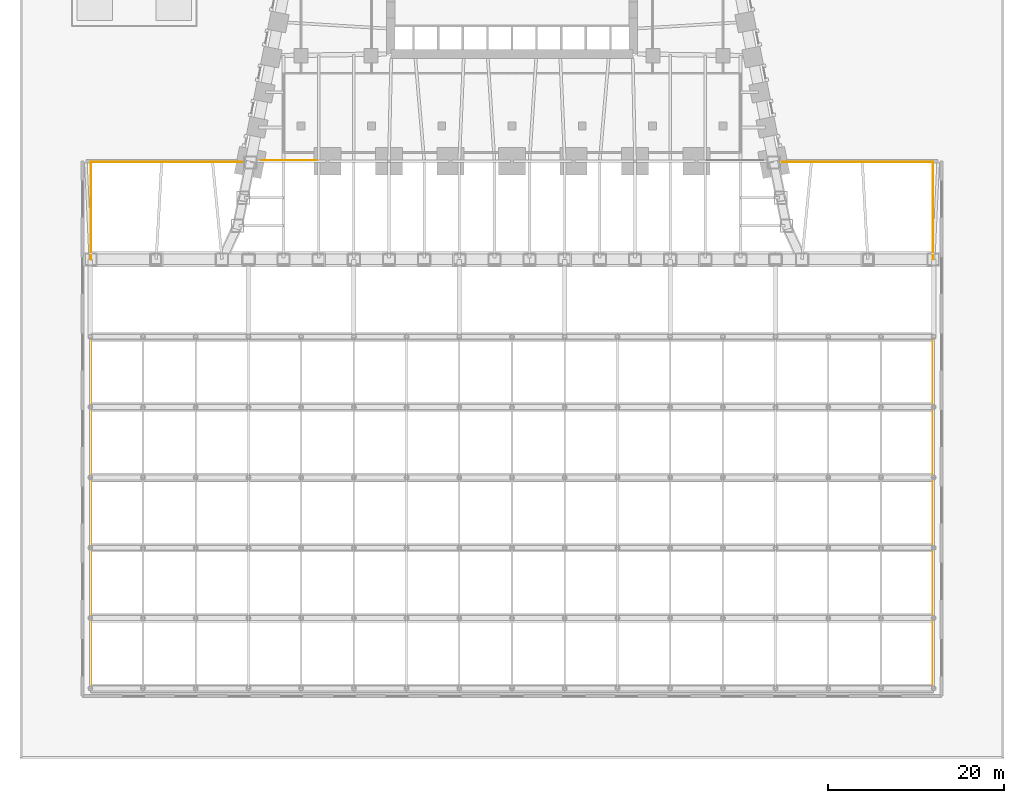
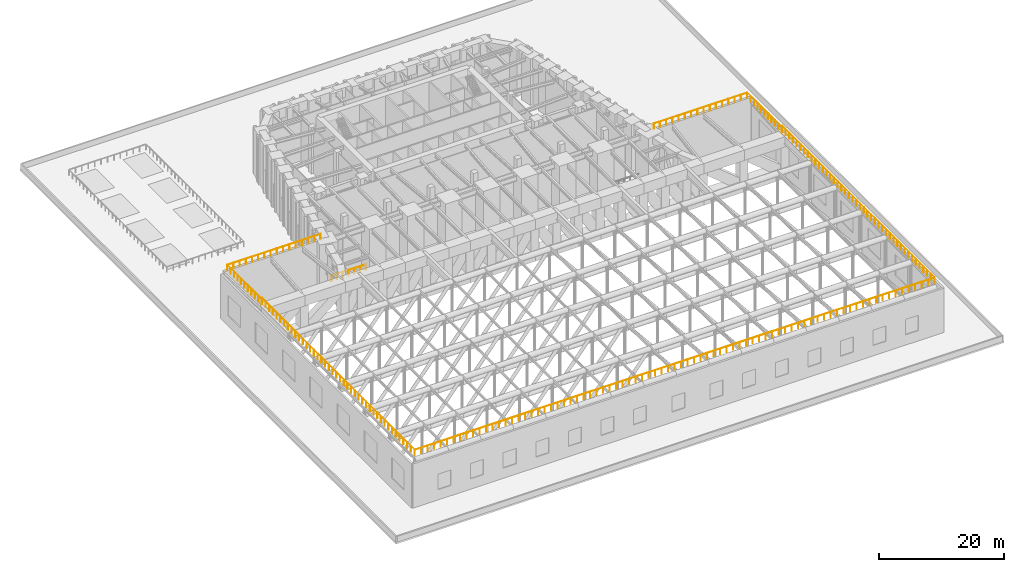
# One storey, part 17 of 20: 4 railings.
"""IFC4 building model written with IfcOpenShell, lengths in metres."""

from ifc_helpers import new_model, si_unit, direction, frame, origin, origin_2d, place, context, subcontext, project, spatial, circle, extrude, material, type_object, element, save


model = new_model("IFC4")

# Units and contexts
model_context = context("Model", 3, precision=1e-05, world=origin(), true_north=direction((0.0, 1.0)))
body_context = subcontext(model_context, "Body", "Model", "MODEL_VIEW")
ifc_project = project(units=[si_unit("LENGTHUNIT", "METRE"), si_unit("AREAUNIT", "SQUARE_METRE"), si_unit("VOLUMEUNIT", "CUBIC_METRE"), si_unit("PLANEANGLEUNIT", "RADIAN"), si_unit("MASSUNIT", "GRAM", prefix="KILO")], contexts=[model_context])

# Site, building, storey
site_placement = place(None, origin())
site = spatial("IfcSite", under=ifc_project, at=site_placement, CompositionType="ELEMENT")
building_placement = place(site_placement, origin())
building = spatial("IfcBuilding", under=site, at=building_placement, Name="Isbrekke Arena Tower", CompositionType="ELEMENT")
storey_placement = place(building_placement, frame((0.0, 0.0, 19.0)))
storey = spatial("IfcBuildingStorey", under=building, at=storey_placement, Name="L03", CompositionType="ELEMENT", Elevation=19.0)

# Railings
ifc_material_1 = material(Name="Galvanised steel guard", Category="steel")
railing_type_1 = type_object("IfcRailingType", Name="GR2 TERRACE GUARD 1100", PredefinedType="GUARDRAIL", material=ifc_material_1)
railing_1_placement = place(storey_placement, frame((-22.199951171875, -5.89990234375, 0.0)))
element("IfcRailing", 1, at=railing_1_placement, inside=storey, type_object=railing_type_1, Name="GR2 plant deck edge guard W L03", PredefinedType="GUARDRAIL", context=body_context, shape_type="SweptSolid", body=[
    extrude(circle(Radius=0.02392578125, at=origin_2d()), frame((0.0, 0.0, 1.076171875), z_axis=(-1.0, 0.0, 0.0), x_axis=(0.0, -1.0, 0.0)), (0.0, 0.0, 1.0), 6.39013671875),
    extrude(circle(Radius=0.02099609375, at=origin_2d()), origin(), (0.0, 0.0, 1.0), 1.052001953125),
    extrude(circle(Radius=0.02099609375, at=origin_2d()), frame((-1.06494140625, 0.0, 0.0)), (0.0, 0.0, 1.0), 1.052001953125),
    extrude(circle(Radius=0.02099609375, at=origin_2d()), frame((-2.130126953125, 0.0, 0.0)), (0.0, 0.0, 1.0), 1.052001953125),
    extrude(circle(Radius=0.02099609375, at=origin_2d()), frame((-3.195068359375, 0.0, 0.0)), (0.0, 0.0, 1.0), 1.052001953125),
    extrude(circle(Radius=0.02099609375, at=origin_2d()), frame((-4.260009765625, 0.0, 0.0)), (0.0, 0.0, 1.0), 1.052001953125),
    extrude(circle(Radius=0.02099609375, at=origin_2d()), frame((-5.3251953125, 0.0, 0.0)), (0.0, 0.0, 1.0), 1.052001953125),
    extrude(circle(Radius=0.02099609375, at=origin_2d()), frame((-6.39013671875, 0.0, 0.0)), (0.0, 0.0, 1.0), 1.052001953125),
])
ifc_material_2 = material(Name="Galvanised steel guard, maintenance roof", Category="steel")
railing_type_2 = type_object("IfcRailingType", Name="GR4 ROOF EDGE GUARD 1100", PredefinedType="GUARDRAIL", material=ifc_material_2)
railing_2_placement = place(storey_placement, frame((47.89990234375, -17.175048828125, 9.25)))
element("IfcRailing", 2, at=railing_2_placement, inside=storey, type_object=railing_type_2, Name="GR4 arena roof edge guard south, maintenance access only", PredefinedType="GUARDRAIL", context=body_context, shape_type="SweptSolid", body=[
    extrude(circle(Radius=0.02392578125, at=origin_2d()), frame((0.0, 0.0, 1.076171875), z_axis=(0.0, -1.0, 0.0), x_axis=(1.0, 0.0, 0.0)), (0.0, 0.0, 1.0), 48.724853515625),
    extrude(circle(Radius=0.02392578125, at=origin_2d()), frame((0.0, -48.724853515625, 1.076171875), z_axis=(-1.0, 0.0, 0.0), x_axis=(0.0, -1.0, 0.0)), (0.0, 0.0, 1.0), 95.7998046875),
    extrude(circle(Radius=0.02392578125, at=origin_2d()), frame((-95.7998046875, -48.724853515625, 1.076171875), z_axis=(0.0, 1.0, 0.0), x_axis=(-1.0, 0.0, 0.0)), (0.0, 0.0, 1.0), 48.724853515625),
    extrude(circle(Radius=0.02099609375, at=origin_2d()), origin(), (0.0, 0.0, 1.0), 1.052001953125),
    extrude(circle(Radius=0.02099609375, at=origin_2d()), frame((0.0, -1.1884765625, 0.0)), (0.0, 0.0, 1.0), 1.052001953125),
    extrude(circle(Radius=0.02099609375, at=origin_2d()), frame((0.0, -2.376708984375, 0.0)), (0.0, 0.0, 1.0), 1.052001953125),
    extrude(circle(Radius=0.02099609375, at=origin_2d()), frame((0.0, -3.565185546875, 0.0)), (0.0, 0.0, 1.0), 1.052001953125),
    extrude(circle(Radius=0.02099609375, at=origin_2d()), frame((0.0, -4.753662109375, 0.0)), (0.0, 0.0, 1.0), 1.052001953125),
    extrude(circle(Radius=0.02099609375, at=origin_2d()), frame((0.0, -5.942138671875, 0.0)), (0.0, 0.0, 1.0), 1.052001953125),
    extrude(circle(Radius=0.02099609375, at=origin_2d()), frame((0.0, -7.13037109375, 0.0)), (0.0, 0.0, 1.0), 1.052001953125),
    extrude(circle(Radius=0.02099609375, at=origin_2d()), frame((0.0, -8.31884765625, 0.0)), (0.0, 0.0, 1.0), 1.052001953125),
    extrude(circle(Radius=0.02099609375, at=origin_2d()), frame((0.0, -9.50732421875, 0.0)), (0.0, 0.0, 1.0), 1.052001953125),
    extrude(circle(Radius=0.02099609375, at=origin_2d()), frame((0.0, -10.69580078125, 0.0)), (0.0, 0.0, 1.0), 1.052001953125),
    extrude(circle(Radius=0.02099609375, at=origin_2d()), frame((0.0, -11.884033203125, 0.0)), (0.0, 0.0, 1.0), 1.052001953125),
    extrude(circle(Radius=0.02099609375, at=origin_2d()), frame((0.0, -13.072509765625, 0.0)), (0.0, 0.0, 1.0), 1.052001953125),
    extrude(circle(Radius=0.02099609375, at=origin_2d()), frame((0.0, -14.260986328125, 0.0)), (0.0, 0.0, 1.0), 1.052001953125),
    extrude(circle(Radius=0.02099609375, at=origin_2d()), frame((0.0, -15.449462890625, 0.0)), (0.0, 0.0, 1.0), 1.052001953125),
    extrude(circle(Radius=0.02099609375, at=origin_2d()), frame((0.0, -16.6376953125, 0.0)), (0.0, 0.0, 1.0), 1.052001953125),
    extrude(circle(Radius=0.02099609375, at=origin_2d()), frame((0.0, -17.826171875, 0.0)), (0.0, 0.0, 1.0), 1.052001953125),
    extrude(circle(Radius=0.02099609375, at=origin_2d()), frame((0.0, -19.0146484375, 0.0)), (0.0, 0.0, 1.0), 1.052001953125),
    extrude(circle(Radius=0.02099609375, at=origin_2d()), frame((0.0, -20.202880859375, 0.0)), (0.0, 0.0, 1.0), 1.052001953125),
    extrude(circle(Radius=0.02099609375, at=origin_2d()), frame((0.0, -21.391357421875, 0.0)), (0.0, 0.0, 1.0), 1.052001953125),
    extrude(circle(Radius=0.02099609375, at=origin_2d()), frame((0.0, -22.579833984375, 0.0)), (0.0, 0.0, 1.0), 1.052001953125),
    extrude(circle(Radius=0.02099609375, at=origin_2d()), frame((0.0, -23.768310546875, 0.0)), (0.0, 0.0, 1.0), 1.052001953125),
    extrude(circle(Radius=0.02099609375, at=origin_2d()), frame((0.0, -24.95654296875, 0.0)), (0.0, 0.0, 1.0), 1.052001953125),
    extrude(circle(Radius=0.02099609375, at=origin_2d()), frame((0.0, -26.14501953125, 0.0)), (0.0, 0.0, 1.0), 1.052001953125),
    extrude(circle(Radius=0.02099609375, at=origin_2d()), frame((0.0, -27.33349609375, 0.0)), (0.0, 0.0, 1.0), 1.052001953125),
    extrude(circle(Radius=0.02099609375, at=origin_2d()), frame((0.0, -28.52197265625, 0.0)), (0.0, 0.0, 1.0), 1.052001953125),
    extrude(circle(Radius=0.02099609375, at=origin_2d()), frame((0.0, -29.710205078125, 0.0)), (0.0, 0.0, 1.0), 1.052001953125),
    extrude(circle(Radius=0.02099609375, at=origin_2d()), frame((0.0, -30.898681640625, 0.0)), (0.0, 0.0, 1.0), 1.052001953125),
    extrude(circle(Radius=0.02099609375, at=origin_2d()), frame((0.0, -32.087158203125, 0.0)), (0.0, 0.0, 1.0), 1.052001953125),
    extrude(circle(Radius=0.02099609375, at=origin_2d()), frame((0.0, -33.275390625, 0.0)), (0.0, 0.0, 1.0), 1.052001953125),
    extrude(circle(Radius=0.02099609375, at=origin_2d()), frame((0.0, -34.4638671875, 0.0)), (0.0, 0.0, 1.0), 1.052001953125),
    extrude(circle(Radius=0.02099609375, at=origin_2d()), frame((0.0, -35.65234375, 0.0)), (0.0, 0.0, 1.0), 1.052001953125),
    extrude(circle(Radius=0.02099609375, at=origin_2d()), frame((0.0, -36.8408203125, 0.0)), (0.0, 0.0, 1.0), 1.052001953125),
    extrude(circle(Radius=0.02099609375, at=origin_2d()), frame((0.0, -38.029052734375, 0.0)), (0.0, 0.0, 1.0), 1.052001953125),
    extrude(circle(Radius=0.02099609375, at=origin_2d()), frame((0.0, -39.217529296875, 0.0)), (0.0, 0.0, 1.0), 1.052001953125),
    extrude(circle(Radius=0.02099609375, at=origin_2d()), frame((0.0, -40.406005859375, 0.0)), (0.0, 0.0, 1.0), 1.052001953125),
    extrude(circle(Radius=0.02099609375, at=origin_2d()), frame((0.0, -41.594482421875, 0.0)), (0.0, 0.0, 1.0), 1.052001953125),
    extrude(circle(Radius=0.02099609375, at=origin_2d()), frame((0.0, -42.78271484375, 0.0)), (0.0, 0.0, 1.0), 1.052001953125),
    extrude(circle(Radius=0.02099609375, at=origin_2d()), frame((0.0, -43.97119140625, 0.0)), (0.0, 0.0, 1.0), 1.052001953125),
    extrude(circle(Radius=0.02099609375, at=origin_2d()), frame((0.0, -45.15966796875, 0.0)), (0.0, 0.0, 1.0), 1.052001953125),
    extrude(circle(Radius=0.02099609375, at=origin_2d()), frame((0.0, -46.34814453125, 0.0)), (0.0, 0.0, 1.0), 1.052001953125),
    extrude(circle(Radius=0.02099609375, at=origin_2d()), frame((0.0, -47.536376953125, 0.0)), (0.0, 0.0, 1.0), 1.052001953125),
    extrude(circle(Radius=0.02099609375, at=origin_2d()), frame((0.0, -48.724853515625, 0.0)), (0.0, 0.0, 1.0), 1.052001953125),
    extrude(circle(Radius=0.02099609375, at=origin_2d()), frame((-1.197509765625, -48.724853515625, 0.0)), (0.0, 0.0, 1.0), 1.052001953125),
    extrude(circle(Radius=0.02099609375, at=origin_2d()), frame((-2.39501953125, -48.724853515625, 0.0)), (0.0, 0.0, 1.0), 1.052001953125),
    extrude(circle(Radius=0.02099609375, at=origin_2d()), frame((-3.592529296875, -48.724853515625, 0.0)), (0.0, 0.0, 1.0), 1.052001953125),
    extrude(circle(Radius=0.02099609375, at=origin_2d()), frame((-4.7900390625, -48.724853515625, 0.0)), (0.0, 0.0, 1.0), 1.052001953125),
    extrude(circle(Radius=0.02099609375, at=origin_2d()), frame((-5.987548828125, -48.724853515625, 0.0)), (0.0, 0.0, 1.0), 1.052001953125),
    extrude(circle(Radius=0.02099609375, at=origin_2d()), frame((-7.18505859375, -48.724853515625, 0.0)), (0.0, 0.0, 1.0), 1.052001953125),
    extrude(circle(Radius=0.02099609375, at=origin_2d()), frame((-8.382568359375, -48.724853515625, 0.0)), (0.0, 0.0, 1.0), 1.052001953125),
    extrude(circle(Radius=0.02099609375, at=origin_2d()), frame((-9.580078125, -48.724853515625, 0.0)), (0.0, 0.0, 1.0), 1.052001953125),
    extrude(circle(Radius=0.02099609375, at=origin_2d()), frame((-10.777587890625, -48.724853515625, 0.0)), (0.0, 0.0, 1.0), 1.052001953125),
    extrude(circle(Radius=0.02099609375, at=origin_2d()), frame((-11.97509765625, -48.724853515625, 0.0)), (0.0, 0.0, 1.0), 1.052001953125),
    extrude(circle(Radius=0.02099609375, at=origin_2d()), frame((-13.17236328125, -48.724853515625, 0.0)), (0.0, 0.0, 1.0), 1.052001953125),
    extrude(circle(Radius=0.02099609375, at=origin_2d()), frame((-14.369873046875, -48.724853515625, 0.0)), (0.0, 0.0, 1.0), 1.052001953125),
    extrude(circle(Radius=0.02099609375, at=origin_2d()), frame((-15.5673828125, -48.724853515625, 0.0)), (0.0, 0.0, 1.0), 1.052001953125),
    extrude(circle(Radius=0.02099609375, at=origin_2d()), frame((-16.764892578125, -48.724853515625, 0.0)), (0.0, 0.0, 1.0), 1.052001953125),
    extrude(circle(Radius=0.02099609375, at=origin_2d()), frame((-17.96240234375, -48.724853515625, 0.0)), (0.0, 0.0, 1.0), 1.052001953125),
    extrude(circle(Radius=0.02099609375, at=origin_2d()), frame((-19.159912109375, -48.724853515625, 0.0)), (0.0, 0.0, 1.0), 1.052001953125),
    extrude(circle(Radius=0.02099609375, at=origin_2d()), frame((-20.357421875, -48.724853515625, 0.0)), (0.0, 0.0, 1.0), 1.052001953125),
    extrude(circle(Radius=0.02099609375, at=origin_2d()), frame((-21.554931640625, -48.724853515625, 0.0)), (0.0, 0.0, 1.0), 1.052001953125),
    extrude(circle(Radius=0.02099609375, at=origin_2d()), frame((-22.75244140625, -48.724853515625, 0.0)), (0.0, 0.0, 1.0), 1.052001953125),
    extrude(circle(Radius=0.02099609375, at=origin_2d()), frame((-23.949951171875, -48.724853515625, 0.0)), (0.0, 0.0, 1.0), 1.052001953125),
    extrude(circle(Radius=0.02099609375, at=origin_2d()), frame((-25.1474609375, -48.724853515625, 0.0)), (0.0, 0.0, 1.0), 1.052001953125),
    extrude(circle(Radius=0.02099609375, at=origin_2d()), frame((-26.344970703125, -48.724853515625, 0.0)), (0.0, 0.0, 1.0), 1.052001953125),
    extrude(circle(Radius=0.02099609375, at=origin_2d()), frame((-27.54248046875, -48.724853515625, 0.0)), (0.0, 0.0, 1.0), 1.052001953125),
    extrude(circle(Radius=0.02099609375, at=origin_2d()), frame((-28.739990234375, -48.724853515625, 0.0)), (0.0, 0.0, 1.0), 1.052001953125),
    extrude(circle(Radius=0.02099609375, at=origin_2d()), frame((-29.9375, -48.724853515625, 0.0)), (0.0, 0.0, 1.0), 1.052001953125),
    extrude(circle(Radius=0.02099609375, at=origin_2d()), frame((-31.135009765625, -48.724853515625, 0.0)), (0.0, 0.0, 1.0), 1.052001953125),
    extrude(circle(Radius=0.02099609375, at=origin_2d()), frame((-32.33251953125, -48.724853515625, 0.0)), (0.0, 0.0, 1.0), 1.052001953125),
    extrude(circle(Radius=0.02099609375, at=origin_2d()), frame((-33.530029296875, -48.724853515625, 0.0)), (0.0, 0.0, 1.0), 1.052001953125),
    extrude(circle(Radius=0.02099609375, at=origin_2d()), frame((-34.7275390625, -48.724853515625, 0.0)), (0.0, 0.0, 1.0), 1.052001953125),
    extrude(circle(Radius=0.02099609375, at=origin_2d()), frame((-35.9248046875, -48.724853515625, 0.0)), (0.0, 0.0, 1.0), 1.052001953125),
    extrude(circle(Radius=0.02099609375, at=origin_2d()), frame((-37.122314453125, -48.724853515625, 0.0)), (0.0, 0.0, 1.0), 1.052001953125),
    extrude(circle(Radius=0.02099609375, at=origin_2d()), frame((-38.31982421875, -48.724853515625, 0.0)), (0.0, 0.0, 1.0), 1.052001953125),
    extrude(circle(Radius=0.02099609375, at=origin_2d()), frame((-39.517333984375, -48.724853515625, 0.0)), (0.0, 0.0, 1.0), 1.052001953125),
    extrude(circle(Radius=0.02099609375, at=origin_2d()), frame((-40.71484375, -48.724853515625, 0.0)), (0.0, 0.0, 1.0), 1.052001953125),
    extrude(circle(Radius=0.02099609375, at=origin_2d()), frame((-41.912353515625, -48.724853515625, 0.0)), (0.0, 0.0, 1.0), 1.052001953125),
    extrude(circle(Radius=0.02099609375, at=origin_2d()), frame((-43.10986328125, -48.724853515625, 0.0)), (0.0, 0.0, 1.0), 1.052001953125),
    extrude(circle(Radius=0.02099609375, at=origin_2d()), frame((-44.307373046875, -48.724853515625, 0.0)), (0.0, 0.0, 1.0), 1.052001953125),
    extrude(circle(Radius=0.02099609375, at=origin_2d()), frame((-45.5048828125, -48.724853515625, 0.0)), (0.0, 0.0, 1.0), 1.052001953125),
    extrude(circle(Radius=0.02099609375, at=origin_2d()), frame((-46.702392578125, -48.724853515625, 0.0)), (0.0, 0.0, 1.0), 1.052001953125),
    extrude(circle(Radius=0.02099609375, at=origin_2d()), frame((-47.89990234375, -48.724853515625, 0.0)), (0.0, 0.0, 1.0), 1.052001953125),
    extrude(circle(Radius=0.02099609375, at=origin_2d()), frame((-49.097412109375, -48.724853515625, 0.0)), (0.0, 0.0, 1.0), 1.052001953125),
    extrude(circle(Radius=0.02099609375, at=origin_2d()), frame((-50.294921875, -48.724853515625, 0.0)), (0.0, 0.0, 1.0), 1.052001953125),
    extrude(circle(Radius=0.02099609375, at=origin_2d()), frame((-51.492431640625, -48.724853515625, 0.0)), (0.0, 0.0, 1.0), 1.052001953125),
    extrude(circle(Radius=0.02099609375, at=origin_2d()), frame((-52.68994140625, -48.724853515625, 0.0)), (0.0, 0.0, 1.0), 1.052001953125),
    extrude(circle(Radius=0.02099609375, at=origin_2d()), frame((-53.887451171875, -48.724853515625, 0.0)), (0.0, 0.0, 1.0), 1.052001953125),
    extrude(circle(Radius=0.02099609375, at=origin_2d()), frame((-55.0849609375, -48.724853515625, 0.0)), (0.0, 0.0, 1.0), 1.052001953125),
    extrude(circle(Radius=0.02099609375, at=origin_2d()), frame((-56.282470703125, -48.724853515625, 0.0)), (0.0, 0.0, 1.0), 1.052001953125),
    extrude(circle(Radius=0.02099609375, at=origin_2d()), frame((-57.47998046875, -48.724853515625, 0.0)), (0.0, 0.0, 1.0), 1.052001953125),
    extrude(circle(Radius=0.02099609375, at=origin_2d()), frame((-58.677490234375, -48.724853515625, 0.0)), (0.0, 0.0, 1.0), 1.052001953125),
    extrude(circle(Radius=0.02099609375, at=origin_2d()), frame((-59.875, -48.724853515625, 0.0)), (0.0, 0.0, 1.0), 1.052001953125),
    extrude(circle(Radius=0.02099609375, at=origin_2d()), frame((-61.072265625, -48.724853515625, 0.0)), (0.0, 0.0, 1.0), 1.052001953125),
    extrude(circle(Radius=0.02099609375, at=origin_2d()), frame((-62.269775390625, -48.724853515625, 0.0)), (0.0, 0.0, 1.0), 1.052001953125),
    extrude(circle(Radius=0.02099609375, at=origin_2d()), frame((-63.46728515625, -48.724853515625, 0.0)), (0.0, 0.0, 1.0), 1.052001953125),
    extrude(circle(Radius=0.02099609375, at=origin_2d()), frame((-64.664794921875, -48.724853515625, 0.0)), (0.0, 0.0, 1.0), 1.052001953125),
    extrude(circle(Radius=0.02099609375, at=origin_2d()), frame((-65.8623046875, -48.724853515625, 0.0)), (0.0, 0.0, 1.0), 1.052001953125),
    extrude(circle(Radius=0.02099609375, at=origin_2d()), frame((-67.059814453125, -48.724853515625, 0.0)), (0.0, 0.0, 1.0), 1.052001953125),
    extrude(circle(Radius=0.02099609375, at=origin_2d()), frame((-68.25732421875, -48.724853515625, 0.0)), (0.0, 0.0, 1.0), 1.052001953125),
    extrude(circle(Radius=0.02099609375, at=origin_2d()), frame((-69.454833984375, -48.724853515625, 0.0)), (0.0, 0.0, 1.0), 1.052001953125),
    extrude(circle(Radius=0.02099609375, at=origin_2d()), frame((-70.65234375, -48.724853515625, 0.0)), (0.0, 0.0, 1.0), 1.052001953125),
    extrude(circle(Radius=0.02099609375, at=origin_2d()), frame((-71.849853515625, -48.724853515625, 0.0)), (0.0, 0.0, 1.0), 1.052001953125),
    extrude(circle(Radius=0.02099609375, at=origin_2d()), frame((-73.04736328125, -48.724853515625, 0.0)), (0.0, 0.0, 1.0), 1.052001953125),
    extrude(circle(Radius=0.02099609375, at=origin_2d()), frame((-74.244873046875, -48.724853515625, 0.0)), (0.0, 0.0, 1.0), 1.052001953125),
    extrude(circle(Radius=0.02099609375, at=origin_2d()), frame((-75.4423828125, -48.724853515625, 0.0)), (0.0, 0.0, 1.0), 1.052001953125),
    extrude(circle(Radius=0.02099609375, at=origin_2d()), frame((-76.639892578125, -48.724853515625, 0.0)), (0.0, 0.0, 1.0), 1.052001953125),
    extrude(circle(Radius=0.02099609375, at=origin_2d()), frame((-77.83740234375, -48.724853515625, 0.0)), (0.0, 0.0, 1.0), 1.052001953125),
    extrude(circle(Radius=0.02099609375, at=origin_2d()), frame((-79.034912109375, -48.724853515625, 0.0)), (0.0, 0.0, 1.0), 1.052001953125),
    extrude(circle(Radius=0.02099609375, at=origin_2d()), frame((-80.232421875, -48.724853515625, 0.0)), (0.0, 0.0, 1.0), 1.052001953125),
    extrude(circle(Radius=0.02099609375, at=origin_2d()), frame((-81.429931640625, -48.724853515625, 0.0)), (0.0, 0.0, 1.0), 1.052001953125),
    extrude(circle(Radius=0.02099609375, at=origin_2d()), frame((-82.62744140625, -48.724853515625, 0.0)), (0.0, 0.0, 1.0), 1.052001953125),
    extrude(circle(Radius=0.02099609375, at=origin_2d()), frame((-83.82470703125, -48.724853515625, 0.0)), (0.0, 0.0, 1.0), 1.052001953125),
    extrude(circle(Radius=0.02099609375, at=origin_2d()), frame((-85.022216796875, -48.724853515625, 0.0)), (0.0, 0.0, 1.0), 1.052001953125),
    extrude(circle(Radius=0.02099609375, at=origin_2d()), frame((-86.2197265625, -48.724853515625, 0.0)), (0.0, 0.0, 1.0), 1.052001953125),
    extrude(circle(Radius=0.02099609375, at=origin_2d()), frame((-87.417236328125, -48.724853515625, 0.0)), (0.0, 0.0, 1.0), 1.052001953125),
    extrude(circle(Radius=0.02099609375, at=origin_2d()), frame((-88.61474609375, -48.724853515625, 0.0)), (0.0, 0.0, 1.0), 1.052001953125),
    extrude(circle(Radius=0.02099609375, at=origin_2d()), frame((-89.812255859375, -48.724853515625, 0.0)), (0.0, 0.0, 1.0), 1.052001953125),
    extrude(circle(Radius=0.02099609375, at=origin_2d()), frame((-91.009765625, -48.724853515625, 0.0)), (0.0, 0.0, 1.0), 1.052001953125),
    extrude(circle(Radius=0.02099609375, at=origin_2d()), frame((-92.207275390625, -48.724853515625, 0.0)), (0.0, 0.0, 1.0), 1.052001953125),
    extrude(circle(Radius=0.02099609375, at=origin_2d()), frame((-93.40478515625, -48.724853515625, 0.0)), (0.0, 0.0, 1.0), 1.052001953125),
    extrude(circle(Radius=0.02099609375, at=origin_2d()), frame((-94.602294921875, -48.724853515625, 0.0)), (0.0, 0.0, 1.0), 1.052001953125),
    extrude(circle(Radius=0.02099609375, at=origin_2d()), frame((-95.7998046875, -48.724853515625, 0.0)), (0.0, 0.0, 1.0), 1.052001953125),
    extrude(circle(Radius=0.02099609375, at=origin_2d()), frame((-95.7998046875, -47.536376953125, 0.0)), (0.0, 0.0, 1.0), 1.052001953125),
    extrude(circle(Radius=0.02099609375, at=origin_2d()), frame((-95.7998046875, -46.34814453125, 0.0)), (0.0, 0.0, 1.0), 1.052001953125),
    extrude(circle(Radius=0.02099609375, at=origin_2d()), frame((-95.7998046875, -45.15966796875, 0.0)), (0.0, 0.0, 1.0), 1.052001953125),
    extrude(circle(Radius=0.02099609375, at=origin_2d()), frame((-95.7998046875, -43.97119140625, 0.0)), (0.0, 0.0, 1.0), 1.052001953125),
    extrude(circle(Radius=0.02099609375, at=origin_2d()), frame((-95.7998046875, -42.78271484375, 0.0)), (0.0, 0.0, 1.0), 1.052001953125),
    extrude(circle(Radius=0.02099609375, at=origin_2d()), frame((-95.7998046875, -41.594482421875, 0.0)), (0.0, 0.0, 1.0), 1.052001953125),
    extrude(circle(Radius=0.02099609375, at=origin_2d()), frame((-95.7998046875, -40.406005859375, 0.0)), (0.0, 0.0, 1.0), 1.052001953125),
    extrude(circle(Radius=0.02099609375, at=origin_2d()), frame((-95.7998046875, -39.217529296875, 0.0)), (0.0, 0.0, 1.0), 1.052001953125),
    extrude(circle(Radius=0.02099609375, at=origin_2d()), frame((-95.7998046875, -38.029052734375, 0.0)), (0.0, 0.0, 1.0), 1.052001953125),
    extrude(circle(Radius=0.02099609375, at=origin_2d()), frame((-95.7998046875, -36.8408203125, 0.0)), (0.0, 0.0, 1.0), 1.052001953125),
    extrude(circle(Radius=0.02099609375, at=origin_2d()), frame((-95.7998046875, -35.65234375, 0.0)), (0.0, 0.0, 1.0), 1.052001953125),
    extrude(circle(Radius=0.02099609375, at=origin_2d()), frame((-95.7998046875, -34.4638671875, 0.0)), (0.0, 0.0, 1.0), 1.052001953125),
    extrude(circle(Radius=0.02099609375, at=origin_2d()), frame((-95.7998046875, -33.275390625, 0.0)), (0.0, 0.0, 1.0), 1.052001953125),
    extrude(circle(Radius=0.02099609375, at=origin_2d()), frame((-95.7998046875, -32.087158203125, 0.0)), (0.0, 0.0, 1.0), 1.052001953125),
    extrude(circle(Radius=0.02099609375, at=origin_2d()), frame((-95.7998046875, -30.898681640625, 0.0)), (0.0, 0.0, 1.0), 1.052001953125),
    extrude(circle(Radius=0.02099609375, at=origin_2d()), frame((-95.7998046875, -29.710205078125, 0.0)), (0.0, 0.0, 1.0), 1.052001953125),
    extrude(circle(Radius=0.02099609375, at=origin_2d()), frame((-95.7998046875, -28.52197265625, 0.0)), (0.0, 0.0, 1.0), 1.052001953125),
    extrude(circle(Radius=0.02099609375, at=origin_2d()), frame((-95.7998046875, -27.33349609375, 0.0)), (0.0, 0.0, 1.0), 1.052001953125),
    extrude(circle(Radius=0.02099609375, at=origin_2d()), frame((-95.7998046875, -26.14501953125, 0.0)), (0.0, 0.0, 1.0), 1.052001953125),
    extrude(circle(Radius=0.02099609375, at=origin_2d()), frame((-95.7998046875, -24.95654296875, 0.0)), (0.0, 0.0, 1.0), 1.052001953125),
    extrude(circle(Radius=0.02099609375, at=origin_2d()), frame((-95.7998046875, -23.768310546875, 0.0)), (0.0, 0.0, 1.0), 1.052001953125),
    extrude(circle(Radius=0.02099609375, at=origin_2d()), frame((-95.7998046875, -22.579833984375, 0.0)), (0.0, 0.0, 1.0), 1.052001953125),
    extrude(circle(Radius=0.02099609375, at=origin_2d()), frame((-95.7998046875, -21.391357421875, 0.0)), (0.0, 0.0, 1.0), 1.052001953125),
    extrude(circle(Radius=0.02099609375, at=origin_2d()), frame((-95.7998046875, -20.202880859375, 0.0)), (0.0, 0.0, 1.0), 1.052001953125),
    extrude(circle(Radius=0.02099609375, at=origin_2d()), frame((-95.7998046875, -19.0146484375, 0.0)), (0.0, 0.0, 1.0), 1.052001953125),
    extrude(circle(Radius=0.02099609375, at=origin_2d()), frame((-95.7998046875, -17.826171875, 0.0)), (0.0, 0.0, 1.0), 1.052001953125),
    extrude(circle(Radius=0.02099609375, at=origin_2d()), frame((-95.7998046875, -16.6376953125, 0.0)), (0.0, 0.0, 1.0), 1.052001953125),
    extrude(circle(Radius=0.02099609375, at=origin_2d()), frame((-95.7998046875, -15.449462890625, 0.0)), (0.0, 0.0, 1.0), 1.052001953125),
    extrude(circle(Radius=0.02099609375, at=origin_2d()), frame((-95.7998046875, -14.260986328125, 0.0)), (0.0, 0.0, 1.0), 1.052001953125),
    extrude(circle(Radius=0.02099609375, at=origin_2d()), frame((-95.7998046875, -13.072509765625, 0.0)), (0.0, 0.0, 1.0), 1.052001953125),
    extrude(circle(Radius=0.02099609375, at=origin_2d()), frame((-95.7998046875, -11.884033203125, 0.0)), (0.0, 0.0, 1.0), 1.052001953125),
    extrude(circle(Radius=0.02099609375, at=origin_2d()), frame((-95.7998046875, -10.69580078125, 0.0)), (0.0, 0.0, 1.0), 1.052001953125),
    extrude(circle(Radius=0.02099609375, at=origin_2d()), frame((-95.7998046875, -9.50732421875, 0.0)), (0.0, 0.0, 1.0), 1.052001953125),
    extrude(circle(Radius=0.02099609375, at=origin_2d()), frame((-95.7998046875, -8.31884765625, 0.0)), (0.0, 0.0, 1.0), 1.052001953125),
    extrude(circle(Radius=0.02099609375, at=origin_2d()), frame((-95.7998046875, -7.13037109375, 0.0)), (0.0, 0.0, 1.0), 1.052001953125),
    extrude(circle(Radius=0.02099609375, at=origin_2d()), frame((-95.7998046875, -5.942138671875, 0.0)), (0.0, 0.0, 1.0), 1.052001953125),
    extrude(circle(Radius=0.02099609375, at=origin_2d()), frame((-95.7998046875, -4.753662109375, 0.0)), (0.0, 0.0, 1.0), 1.052001953125),
    extrude(circle(Radius=0.02099609375, at=origin_2d()), frame((-95.7998046875, -3.565185546875, 0.0)), (0.0, 0.0, 1.0), 1.052001953125),
    extrude(circle(Radius=0.02099609375, at=origin_2d()), frame((-95.7998046875, -2.376708984375, 0.0)), (0.0, 0.0, 1.0), 1.052001953125),
    extrude(circle(Radius=0.02099609375, at=origin_2d()), frame((-95.7998046875, -1.1884765625, 0.0)), (0.0, 0.0, 1.0), 1.052001953125),
    extrude(circle(Radius=0.02099609375, at=origin_2d()), frame((-95.7998046875, 0.0, 0.0)), (0.0, 0.0, 1.0), 1.052001953125),
])
railing_3_placement = place(storey_placement, frame((47.89990234375, -17.175048828125, 9.0)))
element("IfcRailing", 3, at=railing_3_placement, inside=storey, type_object=railing_type_2, Name="GR4 arena roof edge guard E, maintenance access only", PredefinedType="GUARDRAIL", context=body_context, shape_type="SweptSolid", body=[
    extrude(circle(Radius=0.02392578125, at=origin_2d()), frame((0.0, 0.0, 1.076171875), z_axis=(0.0, 1.0, 0.0), x_axis=(-1.0, 0.0, 0.0)), (0.0, 0.0, 1.0), 11.074951171875),
    extrude(circle(Radius=0.02392578125, at=origin_2d()), frame((0.0, 11.074951171875, 1.076171875), z_axis=(-1.0, 0.0, 0.0), x_axis=(0.0, -1.0, 0.0)), (0.0, 0.0, 1.0), 17.199951171875),
    extrude(circle(Radius=0.02099609375, at=origin_2d()), origin(), (0.0, 0.0, 1.0), 1.052001953125),
    extrude(circle(Radius=0.02099609375, at=origin_2d()), frame((0.0, 1.107421875, 0.0)), (0.0, 0.0, 1.0), 1.052001953125),
    extrude(circle(Radius=0.02099609375, at=origin_2d()), frame((0.0, 2.215087890625, 0.0)), (0.0, 0.0, 1.0), 1.052001953125),
    extrude(circle(Radius=0.02099609375, at=origin_2d()), frame((0.0, 3.322509765625, 0.0)), (0.0, 0.0, 1.0), 1.052001953125),
    extrude(circle(Radius=0.02099609375, at=origin_2d()), frame((0.0, 4.429931640625, 0.0)), (0.0, 0.0, 1.0), 1.052001953125),
    extrude(circle(Radius=0.02099609375, at=origin_2d()), frame((0.0, 5.53759765625, 0.0)), (0.0, 0.0, 1.0), 1.052001953125),
    extrude(circle(Radius=0.02099609375, at=origin_2d()), frame((0.0, 6.64501953125, 0.0)), (0.0, 0.0, 1.0), 1.052001953125),
    extrude(circle(Radius=0.02099609375, at=origin_2d()), frame((0.0, 7.75244140625, 0.0)), (0.0, 0.0, 1.0), 1.052001953125),
    extrude(circle(Radius=0.02099609375, at=origin_2d()), frame((0.0, 8.85986328125, 0.0)), (0.0, 0.0, 1.0), 1.052001953125),
    extrude(circle(Radius=0.02099609375, at=origin_2d()), frame((0.0, 9.967529296875, 0.0)), (0.0, 0.0, 1.0), 1.052001953125),
    extrude(circle(Radius=0.02099609375, at=origin_2d()), frame((0.0, 11.074951171875, 0.0)), (0.0, 0.0, 1.0), 1.052001953125),
    extrude(circle(Radius=0.02099609375, at=origin_2d()), frame((-1.146728515625, 11.074951171875, 0.0)), (0.0, 0.0, 1.0), 1.052001953125),
    extrude(circle(Radius=0.02099609375, at=origin_2d()), frame((-2.293212890625, 11.074951171875, 0.0)), (0.0, 0.0, 1.0), 1.052001953125),
    extrude(circle(Radius=0.02099609375, at=origin_2d()), frame((-3.43994140625, 11.074951171875, 0.0)), (0.0, 0.0, 1.0), 1.052001953125),
    extrude(circle(Radius=0.02099609375, at=origin_2d()), frame((-4.586669921875, 11.074951171875, 0.0)), (0.0, 0.0, 1.0), 1.052001953125),
    extrude(circle(Radius=0.02099609375, at=origin_2d()), frame((-5.7333984375, 11.074951171875, 0.0)), (0.0, 0.0, 1.0), 1.052001953125),
    extrude(circle(Radius=0.02099609375, at=origin_2d()), frame((-6.8798828125, 11.074951171875, 0.0)), (0.0, 0.0, 1.0), 1.052001953125),
    extrude(circle(Radius=0.02099609375, at=origin_2d()), frame((-8.026611328125, 11.074951171875, 0.0)), (0.0, 0.0, 1.0), 1.052001953125),
    extrude(circle(Radius=0.02099609375, at=origin_2d()), frame((-9.17333984375, 11.074951171875, 0.0)), (0.0, 0.0, 1.0), 1.052001953125),
    extrude(circle(Radius=0.02099609375, at=origin_2d()), frame((-10.320068359375, 11.074951171875, 0.0)), (0.0, 0.0, 1.0), 1.052001953125),
    extrude(circle(Radius=0.02099609375, at=origin_2d()), frame((-11.466552734375, 11.074951171875, 0.0)), (0.0, 0.0, 1.0), 1.052001953125),
    extrude(circle(Radius=0.02099609375, at=origin_2d()), frame((-12.61328125, 11.074951171875, 0.0)), (0.0, 0.0, 1.0), 1.052001953125),
    extrude(circle(Radius=0.02099609375, at=origin_2d()), frame((-13.760009765625, 11.074951171875, 0.0)), (0.0, 0.0, 1.0), 1.052001953125),
    extrude(circle(Radius=0.02099609375, at=origin_2d()), frame((-14.90673828125, 11.074951171875, 0.0)), (0.0, 0.0, 1.0), 1.052001953125),
    extrude(circle(Radius=0.02099609375, at=origin_2d()), frame((-16.05322265625, 11.074951171875, 0.0)), (0.0, 0.0, 1.0), 1.052001953125),
    extrude(circle(Radius=0.02099609375, at=origin_2d()), frame((-17.199951171875, 11.074951171875, 0.0)), (0.0, 0.0, 1.0), 1.052001953125),
])
railing_4_placement = place(storey_placement, frame((-47.89990234375, -17.175048828125, 9.0)))
element("IfcRailing", 4, at=railing_4_placement, inside=storey, type_object=railing_type_2, Name="GR4 arena roof edge guard W, maintenance access only", PredefinedType="GUARDRAIL", context=body_context, shape_type="SweptSolid", body=[
    extrude(circle(Radius=0.02392578125, at=origin_2d()), frame((0.0, 0.0, 1.076171875), z_axis=(0.0, 1.0, 0.0), x_axis=(-1.0, 0.0, 0.0)), (0.0, 0.0, 1.0), 11.074951171875),
    extrude(circle(Radius=0.02392578125, at=origin_2d()), frame((0.0, 11.074951171875, 1.076171875), z_axis=(1.0, 0.0, 0.0), x_axis=(0.0, 1.0, 0.0)), (0.0, 0.0, 1.0), 17.199951171875),
    extrude(circle(Radius=0.02099609375, at=origin_2d()), origin(), (0.0, 0.0, 1.0), 1.052001953125),
    extrude(circle(Radius=0.02099609375, at=origin_2d()), frame((0.0, 1.107421875, 0.0)), (0.0, 0.0, 1.0), 1.052001953125),
    extrude(circle(Radius=0.02099609375, at=origin_2d()), frame((0.0, 2.215087890625, 0.0)), (0.0, 0.0, 1.0), 1.052001953125),
    extrude(circle(Radius=0.02099609375, at=origin_2d()), frame((0.0, 3.322509765625, 0.0)), (0.0, 0.0, 1.0), 1.052001953125),
    extrude(circle(Radius=0.02099609375, at=origin_2d()), frame((0.0, 4.429931640625, 0.0)), (0.0, 0.0, 1.0), 1.052001953125),
    extrude(circle(Radius=0.02099609375, at=origin_2d()), frame((0.0, 5.53759765625, 0.0)), (0.0, 0.0, 1.0), 1.052001953125),
    extrude(circle(Radius=0.02099609375, at=origin_2d()), frame((0.0, 6.64501953125, 0.0)), (0.0, 0.0, 1.0), 1.052001953125),
    extrude(circle(Radius=0.02099609375, at=origin_2d()), frame((0.0, 7.75244140625, 0.0)), (0.0, 0.0, 1.0), 1.052001953125),
    extrude(circle(Radius=0.02099609375, at=origin_2d()), frame((0.0, 8.85986328125, 0.0)), (0.0, 0.0, 1.0), 1.052001953125),
    extrude(circle(Radius=0.02099609375, at=origin_2d()), frame((0.0, 9.967529296875, 0.0)), (0.0, 0.0, 1.0), 1.052001953125),
    extrude(circle(Radius=0.02099609375, at=origin_2d()), frame((0.0, 11.074951171875, 0.0)), (0.0, 0.0, 1.0), 1.052001953125),
    extrude(circle(Radius=0.02099609375, at=origin_2d()), frame((1.146728515625, 11.074951171875, 0.0)), (0.0, 0.0, 1.0), 1.052001953125),
    extrude(circle(Radius=0.02099609375, at=origin_2d()), frame((2.293212890625, 11.074951171875, 0.0)), (0.0, 0.0, 1.0), 1.052001953125),
    extrude(circle(Radius=0.02099609375, at=origin_2d()), frame((3.43994140625, 11.074951171875, 0.0)), (0.0, 0.0, 1.0), 1.052001953125),
    extrude(circle(Radius=0.02099609375, at=origin_2d()), frame((4.586669921875, 11.074951171875, 0.0)), (0.0, 0.0, 1.0), 1.052001953125),
    extrude(circle(Radius=0.02099609375, at=origin_2d()), frame((5.7333984375, 11.074951171875, 0.0)), (0.0, 0.0, 1.0), 1.052001953125),
    extrude(circle(Radius=0.02099609375, at=origin_2d()), frame((6.8798828125, 11.074951171875, 0.0)), (0.0, 0.0, 1.0), 1.052001953125),
    extrude(circle(Radius=0.02099609375, at=origin_2d()), frame((8.026611328125, 11.074951171875, 0.0)), (0.0, 0.0, 1.0), 1.052001953125),
    extrude(circle(Radius=0.02099609375, at=origin_2d()), frame((9.17333984375, 11.074951171875, 0.0)), (0.0, 0.0, 1.0), 1.052001953125),
    extrude(circle(Radius=0.02099609375, at=origin_2d()), frame((10.320068359375, 11.074951171875, 0.0)), (0.0, 0.0, 1.0), 1.052001953125),
    extrude(circle(Radius=0.02099609375, at=origin_2d()), frame((11.466552734375, 11.074951171875, 0.0)), (0.0, 0.0, 1.0), 1.052001953125),
    extrude(circle(Radius=0.02099609375, at=origin_2d()), frame((12.61328125, 11.074951171875, 0.0)), (0.0, 0.0, 1.0), 1.052001953125),
    extrude(circle(Radius=0.02099609375, at=origin_2d()), frame((13.760009765625, 11.074951171875, 0.0)), (0.0, 0.0, 1.0), 1.052001953125),
    extrude(circle(Radius=0.02099609375, at=origin_2d()), frame((14.90673828125, 11.074951171875, 0.0)), (0.0, 0.0, 1.0), 1.052001953125),
    extrude(circle(Radius=0.02099609375, at=origin_2d()), frame((16.05322265625, 11.074951171875, 0.0)), (0.0, 0.0, 1.0), 1.052001953125),
    extrude(circle(Radius=0.02099609375, at=origin_2d()), frame((17.199951171875, 11.074951171875, 0.0)), (0.0, 0.0, 1.0), 1.052001953125),
])

save(model, "model.ifc")
